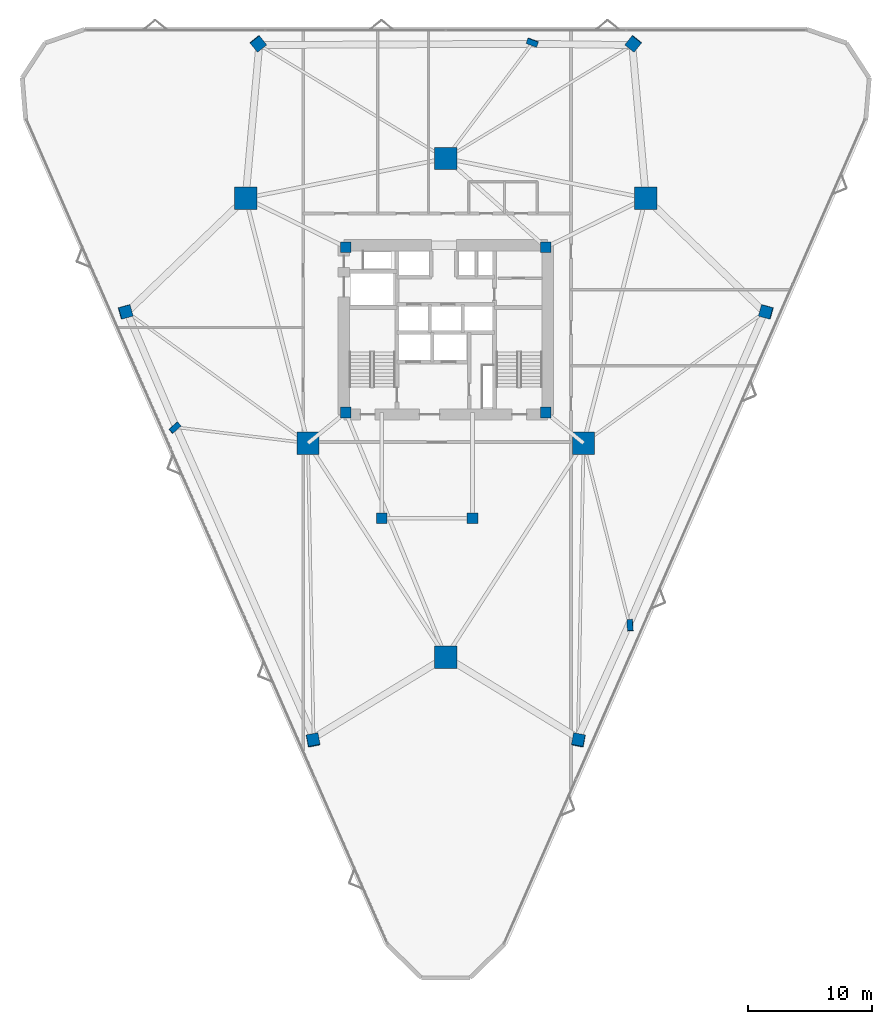
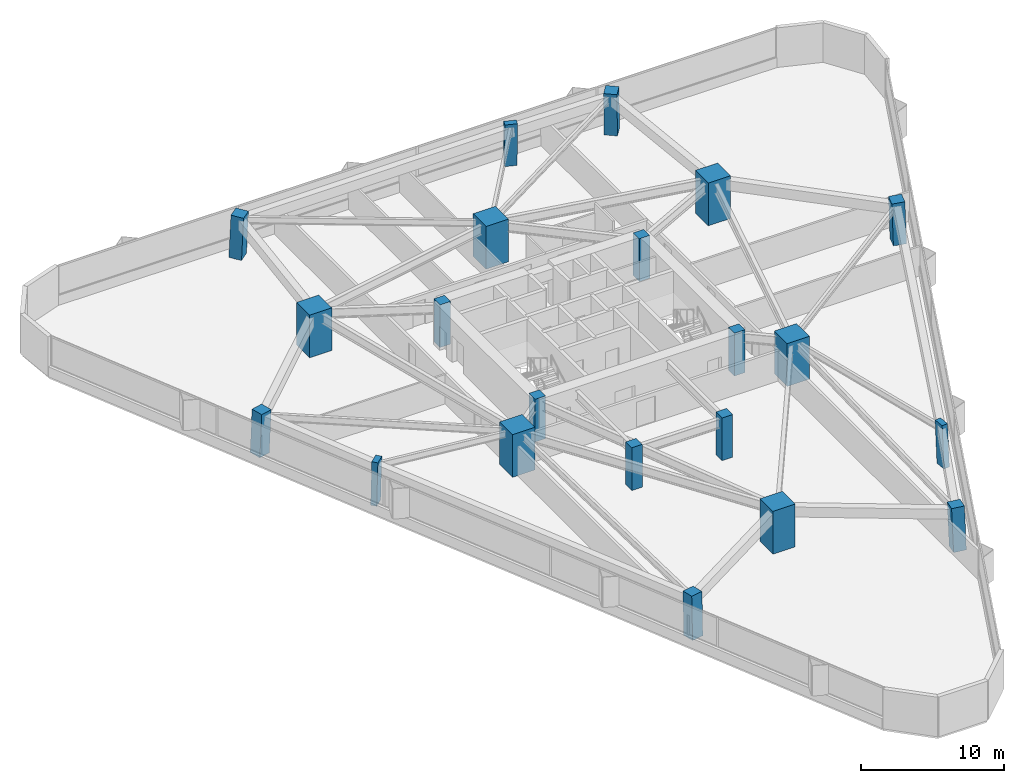
# One storey, part 1 of 20: 21 columns.
"""IFC4 building model written with IfcOpenShell, lengths in metres."""

from ifc_helpers import new_model, si_unit, direction, frame, origin, origin_2d, place, context, subcontext, project, spatial, rectangle, extrude, material, material_profile, profile_set, type_object, element, save


model = new_model("IFC4")

# Units and contexts
model_context = context("Model", 3, precision=1e-05, world=origin(), true_north=direction((0.0, 1.0)))
body_context = subcontext(model_context, "Body", "Model", "MODEL_VIEW")
ifc_project = project(units=[si_unit("LENGTHUNIT", "METRE"), si_unit("AREAUNIT", "SQUARE_METRE"), si_unit("VOLUMEUNIT", "CUBIC_METRE"), si_unit("PLANEANGLEUNIT", "RADIAN"), si_unit("MASSUNIT", "GRAM", prefix="KILO")], contexts=[model_context])

# Site, building, storey
site_placement = place(None, origin())
site = spatial("IfcSite", under=ifc_project, at=site_placement, CompositionType="ELEMENT")
building_placement = place(site_placement, origin())
building = spatial("IfcBuilding", under=site, at=building_placement, Name="Talyreon Biosciences Tower", CompositionType="ELEMENT")
storey_placement = place(building_placement, frame((0.0, 0.0, 37.39990234375)))
storey = spatial("IfcBuildingStorey", under=building, at=storey_placement, Name="L09", CompositionType="ELEMENT", Elevation=37.39990234375)

# Columns
ifc_material_1 = material(Name="Precast concrete C45/55", Category="concrete")
ifc_material_profile_1 = material_profile(ifc_material_1, rectangle(XDim=0.89990234375, YDim=0.449951171875, at=origin_2d()), Name="RC 900x450")
ifc_profile_set_1 = profile_set([ifc_material_profile_1], Name="Precast concrete C45/55")
column_type_1 = type_object("IfcColumnType", Name="FacadePilaster_900x450", PredefinedType="PILASTER", material=ifc_profile_set_1)
column_1_placement = place(storey_placement, frame((80.8388671875, 44.209228515625, 0.003173828125), z_axis=(-0.019611953815, 0.038353752683, 0.999071749637), x_axis=(0.059401001773, -0.997454064444, 0.03945770283)))
element("IfcColumn", 1, at=column_1_placement, inside=storey, type_object=column_type_1, Name="L09 Facade Pilaster PL-SE", PredefinedType="PILASTER", context=body_context, shape_type="SweptSolid", body=[
    extrude(rectangle(XDim=0.89990234375, YDim=0.449951171875, at=origin_2d()), origin(), (0.0, 0.0, 1.0), 3.6474609375),
])
column_2_placement = place(storey_placement, frame((72.97119140625, 91.137451171875, 0.003173828125), z_axis=(-0.012453496874, -0.033544096418, 0.99935964698), x_axis=(-0.937477612418, 0.348045580658, 0.0)))
element("IfcColumn", 2, at=column_2_placement, inside=storey, type_object=column_type_1, Name="L09 Facade Pilaster PL-N", PredefinedType="PILASTER", context=body_context, shape_type="SweptSolid", body=[
    extrude(rectangle(XDim=0.89990234375, YDim=0.449951171875, at=origin_2d()), origin(), (0.0, 0.0, 1.0), 3.646484375),
])
column_3_placement = place(storey_placement, frame((44.190185546875, 60.1240234375, 0.003173828125), z_axis=(0.032006476949, 0.010512587617, 0.999432374368), x_axis=(0.74454139469, 0.666862720726, -0.030858115625)))
element("IfcColumn", 3, at=column_3_placement, inside=storey, type_object=column_type_1, Name="L09 Facade Pilaster PL-SW", PredefinedType="PILASTER", context=body_context, shape_type="SweptSolid", body=[
    extrude(rectangle(XDim=0.89990234375, YDim=0.449951171875, at=origin_2d()), origin(), (0.0, 0.0, 1.0), 3.64599609375),
])
ifc_material_2 = material(Name="Concrete C60/75", Category="concrete")
ifc_material_profile_2 = material_profile(ifc_material_2, rectangle(XDim=1.800048828125, YDim=1.800048828125, at=origin_2d()), Name="RC 1800x1800")
ifc_profile_set_2 = profile_set([ifc_material_profile_2], Name="Concrete C60/75")
column_type_2 = type_object("IfcColumnType", Name="MegaColumn_1800", PredefinedType="COLUMN", material=ifc_profile_set_2)
for number, where, z_axis, x_axis, name in (
    (4, (66.0, 41.6669921875, 0.0), (0.0, 0.0, 1.0), (1.0, 0.0, 0.0), "L09 Composite Mega-Column MC1"),
    (5, (82.102294921875, 78.5986328125, 0.0), (0.0, 0.0, 1.0), (1.0, 0.0, 0.0), "L09 Composite Mega-Column MC2"),
    (6, (49.897705078125, 78.5986328125, 0.0), (0.0, 0.0, 1.0), (1.0, 0.0, 0.0), "L09 Composite Mega-Column MC3"),
    (7, (77.086181640625, 58.88037109375, 0.0), (0.0, 0.0, 1.0), (1.0, 0.0, 0.0), "L09 Composite Mega-Column MC4"),
    (8, (66.0, 81.788818359375, 0.0), (0.0, 0.0, 1.0), (1.0, 0.0, 0.0), "L09 Composite Mega-Column MC5"),
    (9, (54.913818359375, 58.88037109375, 0.0), (0.0, 0.0, 1.0), (1.0, 0.0, 0.0), "L09 Composite Mega-Column MC6"),
):
    element("IfcColumn", number, at=place(storey_placement, frame(where, z_axis=z_axis, x_axis=x_axis)), inside=storey, type_object=column_type_2, Name=name, PredefinedType="COLUMN", context=body_context, shape_type="SweptSolid", body=[
        extrude(rectangle(XDim=1.800048828125, YDim=1.800048828125, at=origin_2d()), origin(), (0.0, 0.0, 1.0), 3.650146484375),
    ])
ifc_material_profile_3 = material_profile(ifc_material_2, rectangle(XDim=0.85009765625, YDim=0.85009765625, at=origin_2d()), Name="RC 850x850")
ifc_profile_set_3 = profile_set([ifc_material_profile_3], Name="Concrete C60/75")
column_type_3 = type_object("IfcColumnType", Name="PerimeterColumn_850", PredefinedType="COLUMN", material=ifc_profile_set_3)
for number, where, z_axis, x_axis, name in (
    (10, (57.949951171875, 61.35009765625, 0.0), (0.0, 0.0, 1.0), (1.0, 0.0, 0.0), "L09 Core Column CC1"),
    (11, (74.050048828125, 61.35009765625, 0.0), (0.0, 0.0, 1.0), (1.0, 0.0, 0.0), "L09 Core Column CC2"),
    (12, (74.050048828125, 74.64990234375, 0.0), (0.0, 0.0, 1.0), (1.0, 0.0, 0.0), "L09 Core Column CC3"),
    (13, (57.949951171875, 74.64990234375, 0.0), (0.0, 0.0, 1.0), (1.0, 0.0, 0.0), "L09 Core Column CC4"),
    (14, (60.85009765625, 52.840087890625, 0.0), (0.0, 0.0, 1.0), (1.0, 0.0, 0.0), "L09 Core Column CSW"),
    (15, (68.14990234375, 52.840087890625, 0.0), (0.0, 0.0, 1.0), (1.0, 0.0, 0.0), "L09 Core Column CSE"),
):
    element("IfcColumn", number, at=place(storey_placement, frame(where, z_axis=z_axis, x_axis=x_axis)), inside=storey, type_object=column_type_3, Name=name, PredefinedType="COLUMN", context=body_context, shape_type="SweptSolid", body=[
        extrude(rectangle(XDim=0.85009765625, YDim=0.85009765625, at=origin_2d()), origin(), (0.0, 0.0, 1.0), 3.650146484375),
    ])
ifc_material_profile_4 = material_profile(ifc_material_2, rectangle(XDim=0.949951171875, YDim=0.949951171875, at=origin_2d()), Name="RC 950x950")
ifc_profile_set_4 = profile_set([ifc_material_profile_4], Name="Concrete C60/75")
column_type_4 = type_object("IfcColumnType", Name="PerimeterColumn_950", PredefinedType="COLUMN", material=ifc_profile_set_4)
column_4_placement = place(storey_placement, frame((76.680908203125, 34.9658203125, 0.003173828125), z_axis=(-0.012375096162, 0.054517315524, 0.998436136818), x_axis=(-0.188828558741, -0.980674061982, 0.051207026474)))
element("IfcColumn", 16, at=column_4_placement, inside=storey, type_object=column_type_4, Name="L09 Tapering Perimeter Column PC-SE1", PredefinedType="COLUMN", context=body_context, shape_type="SweptSolid", body=[
    extrude(rectangle(XDim=0.949951171875, YDim=0.949951171875, at=origin_2d()), origin(), (0.0, 0.0, 1.0), 3.649658203125),
])
column_5_placement = place(storey_placement, frame((91.784912109375, 69.44775390625, 0.003173828125), z_axis=(-0.039296334646, -0.005690269923, 0.99921139851), x_axis=(0.963308147927, -0.265922236485, 0.036369991473)))
element("IfcColumn", 17, at=column_5_placement, inside=storey, type_object=column_type_4, Name="L09 Tapering Perimeter Column PC-SE2", PredefinedType="COLUMN", context=body_context, shape_type="SweptSolid", body=[
    extrude(rectangle(XDim=0.949951171875, YDim=0.949951171875, at=origin_2d()), origin(), (0.0, 0.0, 1.0), 3.64697265625),
])
for number, where, z_axis, x_axis, name in (
    (18, (81.10400390625, 91.03759765625, 0.003173828125), (-0.026841076243, -0.033534611465, 0.999077067328), (-0.780716755404, 0.624885067698, 0.0), "L09 Tapering Perimeter Column PC-N1"),
    (19, (50.89599609375, 91.03759765625, 0.003173828125), (0.026841076243, -0.033534611465, 0.999077067328), (-0.780716755404, -0.624885067698, 0.0), "L09 Tapering Perimeter Column PC-N2"),
):
    element("IfcColumn", number, at=place(storey_placement, frame(where, z_axis=z_axis, x_axis=x_axis)), inside=storey, type_object=column_type_4, Name=name, PredefinedType="COLUMN", context=body_context, shape_type="SweptSolid", body=[
        extrude(rectangle(XDim=0.949951171875, YDim=0.949951171875, at=origin_2d()), origin(), (0.0, 0.0, 1.0), 3.6474609375),
    ])
column_6_placement = place(storey_placement, frame((40.215087890625, 69.44775390625, 0.003173828125), z_axis=(0.039296334646, -0.005690269923, 0.99921139851), x_axis=(0.963308147927, 0.265922236485, -0.036369991473)))
element("IfcColumn", 20, at=column_6_placement, inside=storey, type_object=column_type_4, Name="L09 Tapering Perimeter Column PC-SW1", PredefinedType="COLUMN", context=body_context, shape_type="SweptSolid", body=[
    extrude(rectangle(XDim=0.949951171875, YDim=0.949951171875, at=origin_2d()), origin(), (0.0, 0.0, 1.0), 3.64697265625),
])
column_7_placement = place(storey_placement, frame((55.319091796875, 34.9658203125, 0.003173828125), z_axis=(0.012375096162, 0.054517315524, 0.998436136818), x_axis=(-0.188828558741, 0.980674061982, -0.051207026474)))
element("IfcColumn", 21, at=column_7_placement, inside=storey, type_object=column_type_4, Name="L09 Tapering Perimeter Column PC-SW2", PredefinedType="COLUMN", context=body_context, shape_type="SweptSolid", body=[
    extrude(rectangle(XDim=0.949951171875, YDim=0.949951171875, at=origin_2d()), origin(), (0.0, 0.0, 1.0), 3.649658203125),
])

save(model, "model.ifc")
